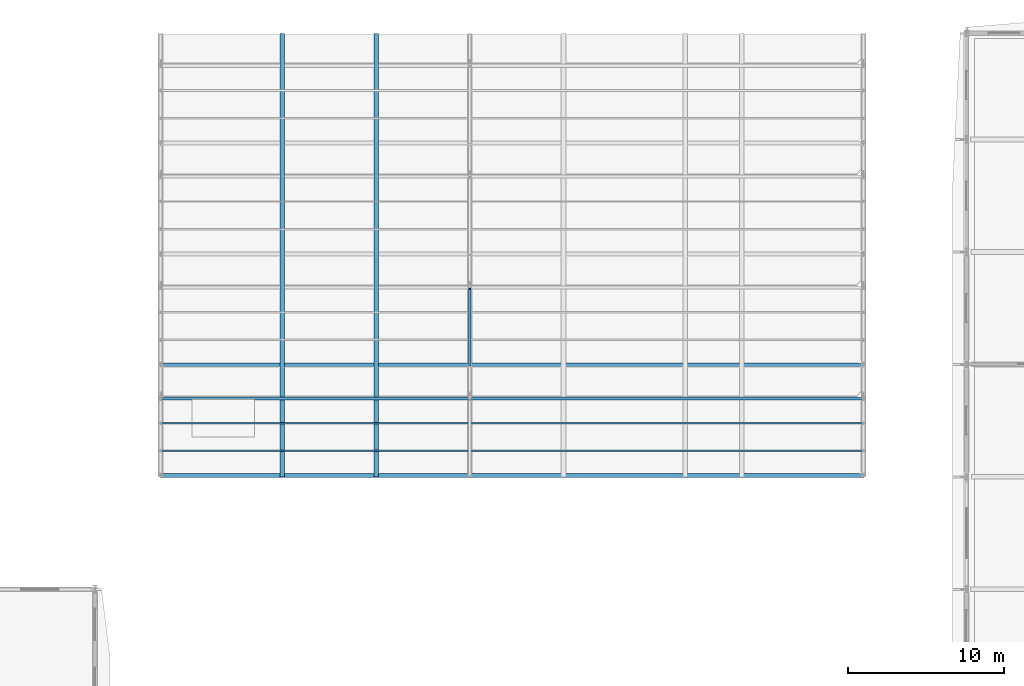
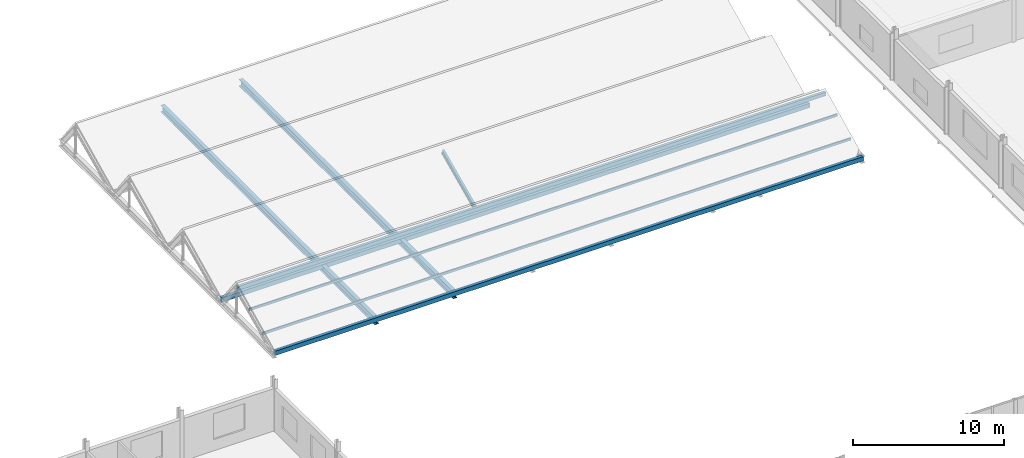
# One storey, part 74 of 138: 5 members, 3 beams.
"""IFC4 building model written with IfcOpenShell, lengths in metres."""

from ifc_helpers import new_model, si_unit, direction, frame, origin, origin_2d, place, context, subcontext, project, spatial, hollow_rectangle, i_section, extrude, material, material_profile, profile_set, type_object, element, save


model = new_model("IFC4")

# Units and contexts
model_context = context("Model", 3, precision=1e-05, world=origin(), true_north=direction((0.0, 1.0)))
body_context = subcontext(model_context, "Body", "Model", "MODEL_VIEW")
ifc_project = project(units=[si_unit("LENGTHUNIT", "METRE"), si_unit("AREAUNIT", "SQUARE_METRE"), si_unit("VOLUMEUNIT", "CUBIC_METRE"), si_unit("PLANEANGLEUNIT", "RADIAN"), si_unit("MASSUNIT", "GRAM", prefix="KILO")], contexts=[model_context])

# Site, building, storey
site_placement = place(None, origin())
site = spatial("IfcSite", under=ifc_project, at=site_placement, CompositionType="ELEMENT")
building_placement = place(site_placement, origin())
building = spatial("IfcBuilding", under=site, at=building_placement, Name="Vinh Khe Railworks Police Headquarters", CompositionType="ELEMENT")
storey_placement = place(building_placement, frame((0.0, 0.0, 9.0)))
storey = spatial("IfcBuildingStorey", under=building, at=storey_placement, Name="L02", CompositionType="ELEMENT", Elevation=9.0)

# Members
ifc_material = material(Name="Steel S355JR", Category="steel")
ifc_material_profile_1 = material_profile(ifc_material, hollow_rectangle(XDim=0.10009765625, YDim=0.199951171875, WallThickness=0.010009765625, at=origin_2d()), Name="RHS 200x100x10")
ifc_profile_set_1 = profile_set([ifc_material_profile_1], Name="Steel S355JR")
member_type_1 = type_object("IfcMemberType", Name="Roof Purlin RHS 200x100x10", PredefinedType="PURLIN", material=ifc_profile_set_1)
member_1_placement = place(storey_placement, frame((26.39990234375, 139.664306640625, 0.89794921875), z_axis=(1.0, 0.0, 0.0), x_axis=(0.0, 1.0, 0.0)))
element("IfcMember", 1, at=member_1_placement, inside=storey, type_object=member_type_1, Name="Sawtooth Roof Purlin 057", PredefinedType="PURLIN", context=body_context, shape_type="SweptSolid", body=[
    extrude(hollow_rectangle(XDim=0.10009765625, YDim=0.199951171875, WallThickness=0.010009765625, at=origin_2d()), origin(), (0.0, 0.0, 1.0), 45.0),
])
ifc_material_profile_2 = material_profile(ifc_material, hollow_rectangle(XDim=0.10009765625, YDim=0.199951171875, WallThickness=0.008056640625, at=origin_2d()), Name="RHS 200x100x8")
ifc_profile_set_2 = profile_set([ifc_material_profile_2], Name="Steel S355JR")
member_type_2 = type_object("IfcMemberType", Name="Roof Purlin RHS 200x100x8", PredefinedType="PURLIN", material=ifc_profile_set_2)
member_2_placement = place(storey_placement, frame((26.39990234375, 141.435546875, 1.761962890625), z_axis=(1.0, 0.0, 0.0), x_axis=(0.0, 1.0, 0.0)))
element("IfcMember", 2, at=member_2_placement, inside=storey, type_object=member_type_2, Name="Sawtooth Roof Purlin 058", PredefinedType="PURLIN", context=body_context, shape_type="SweptSolid", body=[
    extrude(hollow_rectangle(XDim=0.10009765625, YDim=0.199951171875, WallThickness=0.008056640625, at=origin_2d()), origin(), (0.0, 0.0, 1.0), 45.0),
])

# Beams
ifc_material_profile_3 = material_profile(ifc_material, i_section(OverallWidth=0.300048828125, OverallDepth=0.550048828125, WebThickness=0.014892578125, FlangeThickness=0.029052734375, FilletRadius=0.027099609375, at=origin_2d()), Name="HEB 550")
ifc_profile_set_3 = profile_set([ifc_material_profile_3], Name="Steel S355JR")
beam_type_1 = type_object("IfcBeamType", Name="Steel Girder HEB 550", PredefinedType="BEAM", material=ifc_profile_set_3)
for number, where, z_axis, x_axis, name in (
    (3, (34.199951171875, 138.0, 0.199951171875), (0.0, 1.0, 0.0), (-1.0, 0.0, 0.0), "Sawtooth Carrier Girder X=34.2"),
    (4, (40.199951171875, 138.0, 0.199951171875), (0.0, 1.0, 0.0), (-1.0, 0.0, 0.0), "Sawtooth Carrier Girder X=40.2"),
):
    element("IfcBeam", number, at=place(storey_placement, frame(where, z_axis=z_axis, x_axis=x_axis)), inside=storey, type_object=beam_type_1, Name=name, PredefinedType="BEAM", context=body_context, shape_type="SweptSolid", body=[
        extrude(i_section(OverallWidth=0.300048828125, OverallDepth=0.550048828125, WebThickness=0.014892578125, FlangeThickness=0.029052734375, FilletRadius=0.027099609375, at=origin_2d()), origin(), (0.0, 0.0, 1.0), 28.39990234375),
    ])
ifc_material_profile_4 = material_profile(ifc_material, i_section(OverallWidth=0.169921875, OverallDepth=0.360107421875, WebThickness=0.008056640625, FlangeThickness=0.0126953125, FilletRadius=0.01806640625, at=origin_2d()), Name="IPE 360")
ifc_profile_set_4 = profile_set([ifc_material_profile_4], Name="Steel S355JR")
beam_type_2 = type_object("IfcBeamType", Name="Steel Girder IPE 360", PredefinedType="BEAM", material=ifc_profile_set_4)
beam_placement = place(storey_placement, frame((46.199951171875, 145.219970703125, 0.179931640625), z_axis=(0.0, 0.90818224373, 0.418574977959), x_axis=(-1.0, 0.0, 0.0)))
element("IfcBeam", 5, at=beam_placement, inside=storey, type_object=beam_type_2, Name="Sawtooth Slope Girder 2S", PredefinedType="BEAM", context=body_context, shape_type="SweptSolid", body=[
    extrude(i_section(OverallWidth=0.169921875, OverallDepth=0.360107421875, WebThickness=0.008056640625, FlangeThickness=0.0126953125, FilletRadius=0.01806640625, at=origin_2d()), origin(), (0.0, 0.0, 1.0), 5.3515625),
])

# Members
ifc_material_profile_5 = material_profile(ifc_material, hollow_rectangle(XDim=0.199951171875, YDim=0.300048828125, WallThickness=0.012451171875, at=origin_2d()), Name="RHS 300x200x12.5")
ifc_profile_set_5 = profile_set([ifc_material_profile_5], Name="Steel S355JR")
member_type_3 = type_object("IfcMemberType", Name="Truss Chord RHS 300x200x12.5", PredefinedType="CHORD", material=ifc_profile_set_5)
member_3_placement = place(storey_placement, frame((26.39990234375, 143.02001953125, 2.550048828125), z_axis=(1.0, 0.0, 0.0), x_axis=(0.0, 1.0, 0.0)))
element("IfcMember", 6, at=member_3_placement, inside=storey, type_object=member_type_3, Name="Sawtooth Truss TOP Chord 1", PredefinedType="CHORD", context=body_context, shape_type="SweptSolid", body=[
    extrude(hollow_rectangle(XDim=0.199951171875, YDim=0.300048828125, WallThickness=0.012451171875, at=origin_2d()), origin(), (0.0, 0.0, 1.0), 45.0),
])
ifc_material_profile_6 = material_profile(ifc_material, hollow_rectangle(XDim=0.25, YDim=0.35009765625, WallThickness=0.012451171875, at=origin_2d()), Name="RHS 350x250x12.5")
ifc_profile_set_6 = profile_set([ifc_material_profile_6], Name="Steel S355JR")
member_type_4 = type_object("IfcMemberType", Name="Truss Chord RHS 350x250x12.5", PredefinedType="CHORD", material=ifc_profile_set_6)
for number, where, z_axis, x_axis, name in (
    (7, (26.39990234375, 138.080078125, 0.320068359375), (1.0, 0.0, 0.0), (0.0, 1.0, 0.0), "Sawtooth Truss BOT Chord 1"),
    (8, (26.39990234375, 145.179931640625, 0.320068359375), (1.0, 0.0, 0.0), (0.0, 1.0, 0.0), "Sawtooth Truss BOT Chord 2"),
):
    element("IfcMember", number, at=place(storey_placement, frame(where, z_axis=z_axis, x_axis=x_axis)), inside=storey, type_object=member_type_4, Name=name, PredefinedType="CHORD", context=body_context, shape_type="SweptSolid", body=[
        extrude(hollow_rectangle(XDim=0.25, YDim=0.35009765625, WallThickness=0.012451171875, at=origin_2d()), origin(), (0.0, 0.0, 1.0), 45.0),
    ])

save(model, "model.ifc")
